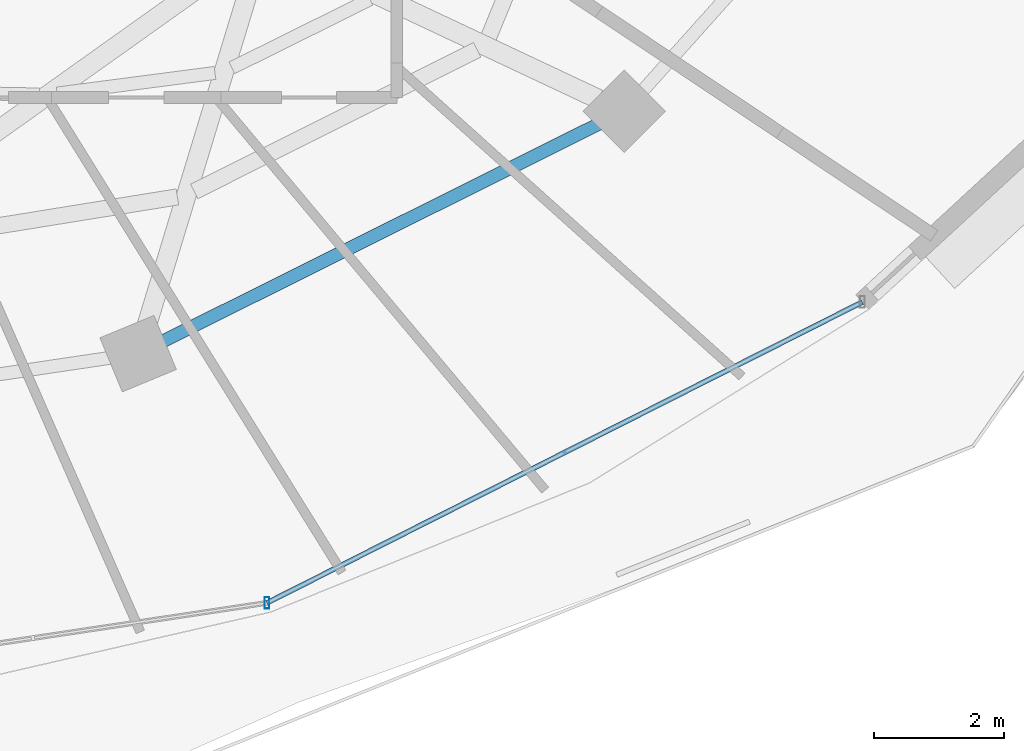
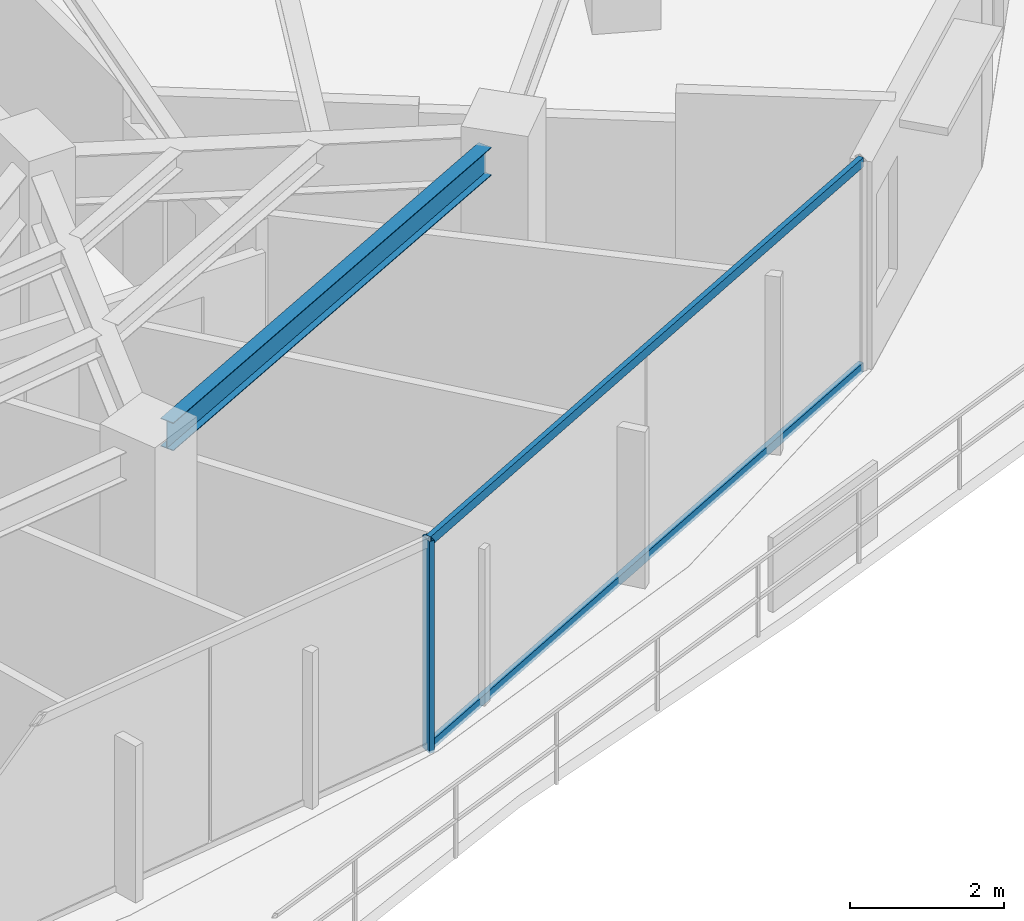
# One storey, part 11 of 34: 3 members, 1 beam, 1 element without a shape of its own.
"""IFC4 building model written with IfcOpenShell, lengths in metres."""

from ifc_helpers import new_model, si_unit, direction, frame, origin, origin_2d, place, context, subcontext, project, spatial, hollow_rectangle, i_section, extrude, material, material_profile, profile_set, type_object, element, aggregate, save


model = new_model("IFC4")

# Units and contexts
model_context = context("Model", 3, precision=1e-05, world=origin(), true_north=direction((0.0, 1.0)))
body_context = subcontext(model_context, "Body", "Model", "MODEL_VIEW")
ifc_project = project(units=[si_unit("LENGTHUNIT", "METRE"), si_unit("AREAUNIT", "SQUARE_METRE"), si_unit("VOLUMEUNIT", "CUBIC_METRE"), si_unit("PLANEANGLEUNIT", "RADIAN"), si_unit("MASSUNIT", "GRAM", prefix="KILO")], contexts=[model_context])

# Site, building, storey
site_placement = place(None, origin())
site = spatial("IfcSite", under=ifc_project, at=site_placement, CompositionType="ELEMENT")
building_placement = place(site_placement, origin())
building = spatial("IfcBuilding", under=site, at=building_placement, Name="Vorneva Point Tower", CompositionType="ELEMENT")
storey_placement = place(building_placement, frame((0.0, 0.0, 214.300048828125)))
storey = spatial("IfcBuildingStorey", under=building, at=storey_placement, Name="L58", CompositionType="ELEMENT", Elevation=214.300048828125)

# Beam
ifc_material_1 = material(Name="Steel S355", Category="steel")
ifc_material_profile_1 = material_profile(ifc_material_1, i_section(OverallWidth=0.198974609375, OverallDepth=0.446044921875, WebThickness=0.008056640625, FlangeThickness=0.011962890625, at=origin_2d()), Name="45B1")
ifc_profile_set_1 = profile_set([ifc_material_profile_1], Name="Steel S355")
beam_type = type_object("IfcBeamType", Name="BM-SPN-45B1", PredefinedType="SPANDREL", material=ifc_profile_set_1)
beam_placement = place(storey_placement, frame((47.210205078125, 10.303466796875, 3.06689453125), z_axis=(0.894922371084, 0.446221861559, 0.0), x_axis=(-0.446221861559, 0.894922371084, 0.0)))
element("IfcBeam", 1, at=beam_placement, inside=storey, type_object=beam_type, Name="L58 Perimeter Spandrel Ring Beam 14", PredefinedType="SPANDREL", context=body_context, shape_type="SweptSolid", body=[
    extrude(i_section(OverallWidth=0.198974609375, OverallDepth=0.446044921875, WebThickness=0.008056640625, FlangeThickness=0.011962890625, at=origin_2d()), origin(), (0.0, 0.0, 1.0), 7.48583984375),
])

# Curtain wall, members
ifc_material_2 = material(Name="Pale anodised aluminium", Category="aluminium")
curtain_wall_type = type_object("IfcCurtainWallType", Name="CW-RES-SYS", PredefinedType="NOTDEFINED", material=ifc_material_2)
curtain_wall_placement = place(storey_placement, origin())
curtain_wall = element("IfcCurtainWall", 2, at=curtain_wall_placement, inside=storey, type_object=curtain_wall_type, Name="L58 Unitised Curtain Wall CW-L58-R04", PredefinedType="NOTDEFINED")
ifc_material_profile_2 = material_profile(ifc_material_2, hollow_rectangle(XDim=0.074951171875, YDim=0.179931640625, WallThickness=0.00390625, at=origin_2d()), Name="AL-MUL 180x75x4")
ifc_profile_set_2 = profile_set([ifc_material_profile_2], Name="Pale anodised aluminium")
member_type_1 = type_object("IfcMemberType", Name="CW-MUL-180", PredefinedType="MULLION", material=ifc_profile_set_2)
member_1_placement = place(storey_placement, frame((48.80322265625, 6.275146484375, -0.0400390625), z_axis=(0.0, 0.0, 1.0), x_axis=(1.0, 0.0, 0.0)))
member_1 = element("IfcMember", 3, at=member_1_placement, type_object=member_type_1, Name="CW-L58-R04 Mullion 04", PredefinedType="MULLION", context=body_context, shape_type="SweptSolid", body=[
    extrude(hollow_rectangle(XDim=0.074951171875, YDim=0.179931640625, WallThickness=0.00390625, at=origin_2d()), origin(), (0.0, 0.0, 1.0), 3.360107421875),
])
ifc_material_profile_3 = material_profile(ifc_material_2, hollow_rectangle(XDim=0.074951171875, YDim=0.14990234375, WallThickness=0.00390625, at=origin_2d()), Name="AL-TRN 150x75x4")
ifc_profile_set_3 = profile_set([ifc_material_profile_3], Name="Pale anodised aluminium")
member_type_2 = type_object("IfcMemberType", Name="CW-TRN-150", PredefinedType="USERDEFINED", material=ifc_profile_set_3)
member_2_placement = place(storey_placement, frame((48.80322265625, 6.275146484375, 0.02001953125), z_axis=(0.892510927709, 0.451025768576, 0.0), x_axis=(-0.451025768576, 0.892510927709, 0.0)))
member_2 = element("IfcMember", 4, at=member_2_placement, type_object=member_type_2, Name="CW-L58-R04 Transom 04.1", ObjectType="TRANSOM", PredefinedType="USERDEFINED", context=body_context, shape_type="SweptSolid", body=[
    extrude(hollow_rectangle(XDim=0.074951171875, YDim=0.14990234375, WallThickness=0.00390625, at=origin_2d()), origin(), (0.0, 0.0, 1.0), 10.261474609375),
])
member_3_placement = place(storey_placement, frame((48.80322265625, 6.275146484375, 3.27001953125), z_axis=(0.892510927709, 0.451025768576, 0.0), x_axis=(-0.451025768576, 0.892510927709, 0.0)))
member_3 = element("IfcMember", 5, at=member_3_placement, type_object=member_type_2, Name="CW-L58-R04 Transom 04.2", ObjectType="TRANSOM", PredefinedType="USERDEFINED", context=body_context, shape_type="SweptSolid", body=[
    extrude(hollow_rectangle(XDim=0.074951171875, YDim=0.14990234375, WallThickness=0.00390625, at=origin_2d()), origin(), (0.0, 0.0, 1.0), 10.261474609375),
])
aggregate(curtain_wall, [member_1, member_2, member_3])

save(model, "model.ifc")
